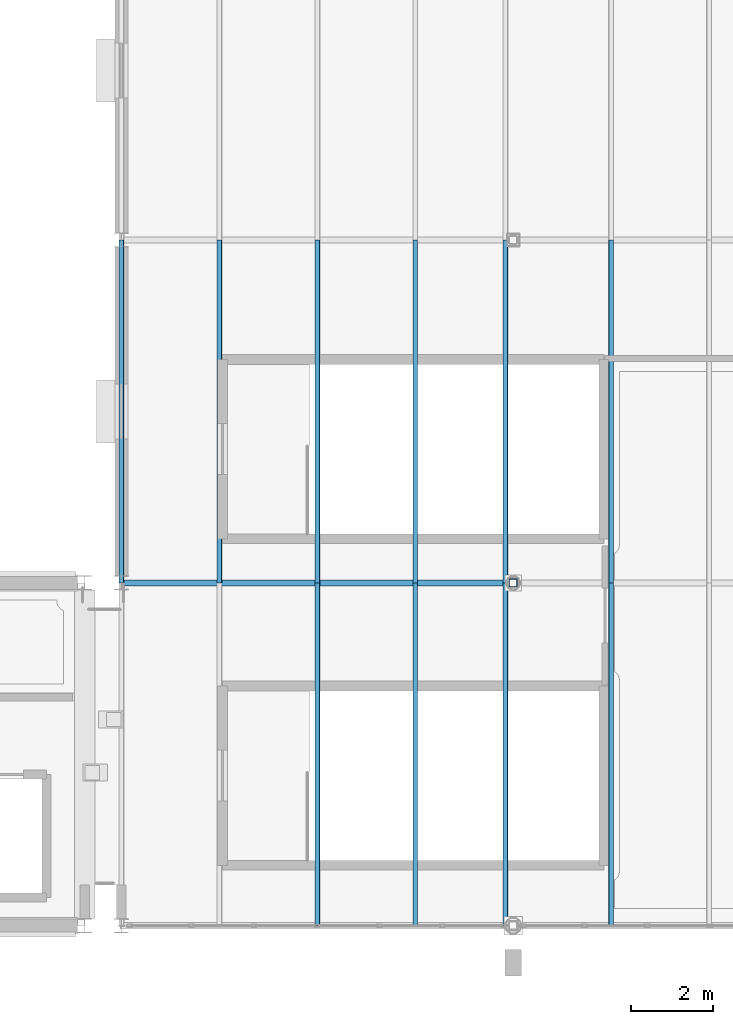
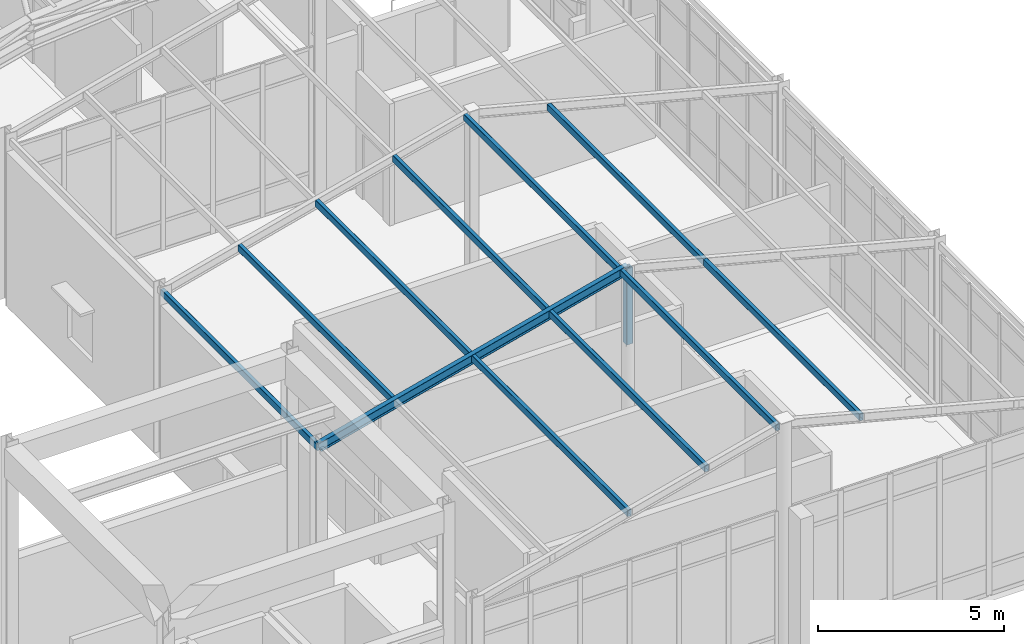
# One storey, part 12 of 121: 11 members, 1 beam.
"""IFC4 building model written with IfcOpenShell, lengths in metres."""

from ifc_helpers import new_model, si_unit, direction, frame, origin, origin_2d, place, context, subcontext, project, spatial, hollow_rectangle, i_section, extrude, material, material_profile, profile_set, type_object, element, save


model = new_model("IFC4")

# Units and contexts
model_context = context("Model", 3, precision=1e-05, world=origin(), true_north=direction((0.0, 1.0)))
body_context = subcontext(model_context, "Body", "Model", "MODEL_VIEW")
ifc_project = project(units=[si_unit("LENGTHUNIT", "METRE"), si_unit("AREAUNIT", "SQUARE_METRE"), si_unit("VOLUMEUNIT", "CUBIC_METRE"), si_unit("PLANEANGLEUNIT", "RADIAN"), si_unit("MASSUNIT", "GRAM", prefix="KILO")], contexts=[model_context])

# Site, building, storey
site_placement = place(None, origin())
site = spatial("IfcSite", under=ifc_project, at=site_placement, CompositionType="ELEMENT")
building_placement = place(site_placement, origin())
building = spatial("IfcBuilding", under=site, at=building_placement, Name="Canglan Escarpment Cableway Terminal", CompositionType="ELEMENT")
storey_placement = place(building_placement, frame((0.0, 0.0, 24.60009765625)))
storey = spatial("IfcBuildingStorey", under=building, at=storey_placement, Name="L05", CompositionType="ELEMENT", Elevation=24.60009765625)

# Beam
ifc_material = material(Name="Steel Q355B", Category="steel")
ifc_material_profile_1 = material_profile(ifc_material, i_section(OverallWidth=0.14990234375, OverallDepth=0.300048828125, WebThickness=0.006591796875, FlangeThickness=0.009033203125, FilletRadius=0.012939453125, at=origin_2d()), Name="HN 300x150x6.5x9")
ifc_profile_set_1 = profile_set([ifc_material_profile_1], Name="Steel Q355B")
beam_type = type_object("IfcBeamType", Name="BM-GABLE-RAFTER-HN300", PredefinedType="BEAM", material=ifc_profile_set_1)
beam_placement = place(storey_placement, frame((147.199951171875, 16.39990234375, 5.349853515625), z_axis=(0.967724859719, 0.0, 0.252009118649), x_axis=(0.0, 1.0, 0.0)))
element("IfcBeam", 1, at=beam_placement, inside=storey, type_object=beam_type, Name="Pedimented pavilion rafter RF-B2", PredefinedType="BEAM", context=body_context, shape_type="SweptSolid", body=[
    extrude(i_section(OverallWidth=0.14990234375, OverallDepth=0.300048828125, WebThickness=0.006591796875, FlangeThickness=0.009033203125, FilletRadius=0.012939453125, at=origin_2d()), origin(), (0.0, 0.0, 1.0), 9.920166015625),
])

# Members
ifc_material_profile_2 = material_profile(ifc_material, hollow_rectangle(XDim=0.1201171875, YDim=0.219970703125, WallThickness=0.006103515625, InnerFilletRadius=0.006103515625, OuterFilletRadius=0.011962890625, at=origin_2d()), Name="RHS 220x120x6")
ifc_profile_set_2 = profile_set([ifc_material_profile_2], Name="Steel Q355B")
member_type_1 = type_object("IfcMemberType", Name="MB-PAV-PUR-RHS220", PredefinedType="PURLIN", material=ifc_profile_set_2)
for number, where, z_axis, x_axis, name in (
    (2, (147.199951171875, 16.39990234375, 5.329833984375), (0.0, 1.0, 0.0), (-1.0, 0.0, 0.0), "Pedimented pavilion purlin PR-03"),
    (3, (149.60009765625, 16.39990234375, 5.954833984375), (0.0, 1.0, 0.0), (-1.0, 0.0, 0.0), "Pedimented pavilion purlin PR-03"),
):
    element("IfcMember", number, at=place(storey_placement, frame(where, z_axis=z_axis, x_axis=x_axis)), inside=storey, type_object=member_type_1, Name=name, PredefinedType="PURLIN", context=body_context, shape_type="SweptSolid", body=[
        extrude(hollow_rectangle(XDim=0.1201171875, YDim=0.219970703125, WallThickness=0.006103515625, InnerFilletRadius=0.006103515625, OuterFilletRadius=0.011962890625, at=origin_2d()), origin(), (0.0, 0.0, 1.0), 8.400146484375),
    ])
member_1_placement = place(storey_placement, frame((152.0, 8.0, 6.579833984375), z_axis=(0.0, 1.0, 0.0), x_axis=(-1.0, 0.0, 0.0)))
element("IfcMember", 4, at=member_1_placement, inside=storey, type_object=member_type_1, Name="Pedimented pavilion purlin PR-03", PredefinedType="PURLIN", context=body_context, shape_type="SweptSolid", body=[
    extrude(hollow_rectangle(XDim=0.1201171875, YDim=0.219970703125, WallThickness=0.006103515625, InnerFilletRadius=0.006103515625, OuterFilletRadius=0.011962890625, at=origin_2d()), origin(), (0.0, 0.0, 1.0), 8.39990234375),
])
member_2_placement = place(storey_placement, frame((152.0, 16.39990234375, 6.579833984375), z_axis=(0.0, 1.0, 0.0), x_axis=(-1.0, 0.0, 0.0)))
element("IfcMember", 5, at=member_2_placement, inside=storey, type_object=member_type_1, Name="Pedimented pavilion purlin PR-03", PredefinedType="PURLIN", context=body_context, shape_type="SweptSolid", body=[
    extrude(hollow_rectangle(XDim=0.1201171875, YDim=0.219970703125, WallThickness=0.006103515625, InnerFilletRadius=0.006103515625, OuterFilletRadius=0.011962890625, at=origin_2d()), origin(), (0.0, 0.0, 1.0), 8.400146484375),
])
member_3_placement = place(storey_placement, frame((154.39990234375, 8.0, 7.204833984375), z_axis=(0.0, 1.0, 0.0), x_axis=(-1.0, 0.0, 0.0)))
element("IfcMember", 6, at=member_3_placement, inside=storey, type_object=member_type_1, Name="Pedimented pavilion purlin PR-03", PredefinedType="PURLIN", context=body_context, shape_type="SweptSolid", body=[
    extrude(hollow_rectangle(XDim=0.1201171875, YDim=0.219970703125, WallThickness=0.006103515625, InnerFilletRadius=0.006103515625, OuterFilletRadius=0.011962890625, at=origin_2d()), origin(), (0.0, 0.0, 1.0), 8.39990234375),
])
member_4_placement = place(storey_placement, frame((154.39990234375, 16.39990234375, 7.204833984375), z_axis=(0.0, 1.0, 0.0), x_axis=(-1.0, 0.0, 0.0)))
element("IfcMember", 7, at=member_4_placement, inside=storey, type_object=member_type_1, Name="Pedimented pavilion purlin PR-03", PredefinedType="PURLIN", context=body_context, shape_type="SweptSolid", body=[
    extrude(hollow_rectangle(XDim=0.1201171875, YDim=0.219970703125, WallThickness=0.006103515625, InnerFilletRadius=0.006103515625, OuterFilletRadius=0.011962890625, at=origin_2d()), origin(), (0.0, 0.0, 1.0), 8.400146484375),
])
member_5_placement = place(storey_placement, frame((156.60791015625, 8.0, 7.77978515625), z_axis=(0.0, 1.0, 0.0), x_axis=(-1.0, 0.0, 0.0)))
element("IfcMember", 8, at=member_5_placement, inside=storey, type_object=member_type_1, Name="Pedimented pavilion purlin PR-03", PredefinedType="PURLIN", context=body_context, shape_type="SweptSolid", body=[
    extrude(hollow_rectangle(XDim=0.1201171875, YDim=0.219970703125, WallThickness=0.006103515625, InnerFilletRadius=0.006103515625, OuterFilletRadius=0.011962890625, at=origin_2d()), origin(), (0.0, 0.0, 1.0), 8.39990234375),
])
member_6_placement = place(storey_placement, frame((156.60791015625, 16.39990234375, 7.77978515625), z_axis=(0.0, 1.0, 0.0), x_axis=(-1.0, 0.0, 0.0)))
element("IfcMember", 9, at=member_6_placement, inside=storey, type_object=member_type_1, Name="Pedimented pavilion purlin PR-03", PredefinedType="PURLIN", context=body_context, shape_type="SweptSolid", body=[
    extrude(hollow_rectangle(XDim=0.1201171875, YDim=0.219970703125, WallThickness=0.006103515625, InnerFilletRadius=0.006103515625, OuterFilletRadius=0.011962890625, at=origin_2d()), origin(), (0.0, 0.0, 1.0), 8.400146484375),
])
member_7_placement = place(storey_placement, frame((159.199951171875, 8.0, 7.204833984375), z_axis=(0.0, 1.0, 0.0), x_axis=(-1.0, 0.0, 0.0)))
element("IfcMember", 10, at=member_7_placement, inside=storey, type_object=member_type_1, Name="Pedimented pavilion purlin PR-03", PredefinedType="PURLIN", context=body_context, shape_type="SweptSolid", body=[
    extrude(hollow_rectangle(XDim=0.1201171875, YDim=0.219970703125, WallThickness=0.006103515625, InnerFilletRadius=0.006103515625, OuterFilletRadius=0.011962890625, at=origin_2d()), origin(), (0.0, 0.0, 1.0), 8.39990234375),
])
member_8_placement = place(storey_placement, frame((159.199951171875, 16.39990234375, 7.204833984375), z_axis=(0.0, 1.0, 0.0), x_axis=(-1.0, 0.0, 0.0)))
element("IfcMember", 11, at=member_8_placement, inside=storey, type_object=member_type_1, Name="Pedimented pavilion purlin PR-03", PredefinedType="PURLIN", context=body_context, shape_type="SweptSolid", body=[
    extrude(hollow_rectangle(XDim=0.1201171875, YDim=0.219970703125, WallThickness=0.006103515625, InnerFilletRadius=0.006103515625, OuterFilletRadius=0.011962890625, at=origin_2d()), origin(), (0.0, 0.0, 1.0), 8.400146484375),
])
ifc_material_profile_3 = material_profile(ifc_material, hollow_rectangle(XDim=0.199951171875, YDim=0.199951171875, WallThickness=0.008056640625, InnerFilletRadius=0.008056640625, OuterFilletRadius=0.01611328125, at=origin_2d()), Name="SHS 200x200x8")
ifc_profile_set_3 = profile_set([ifc_material_profile_3], Name="Steel Q355B")
member_type_2 = type_object("IfcMemberType", Name="MB-PRATT-WEB-SHS200", PredefinedType="BRACE", material=ifc_profile_set_3)
member_9_placement = place(storey_placement, frame((156.800048828125, 16.39990234375, 5.39990234375), z_axis=(0.0, 0.0, 1.0), x_axis=(1.0, 0.0, 0.0)))
element("IfcMember", 12, at=member_9_placement, inside=storey, type_object=member_type_2, Name="Pedimented pavilion ROOF TRUSS strut PT-WB1", PredefinedType="BRACE", context=body_context, shape_type="SweptSolid", body=[
    extrude(hollow_rectangle(XDim=0.199951171875, YDim=0.199951171875, WallThickness=0.008056640625, InnerFilletRadius=0.008056640625, OuterFilletRadius=0.01611328125, at=origin_2d()), origin(), (0.0, 0.0, 1.0), 2.5),
])

save(model, "model.ifc")
